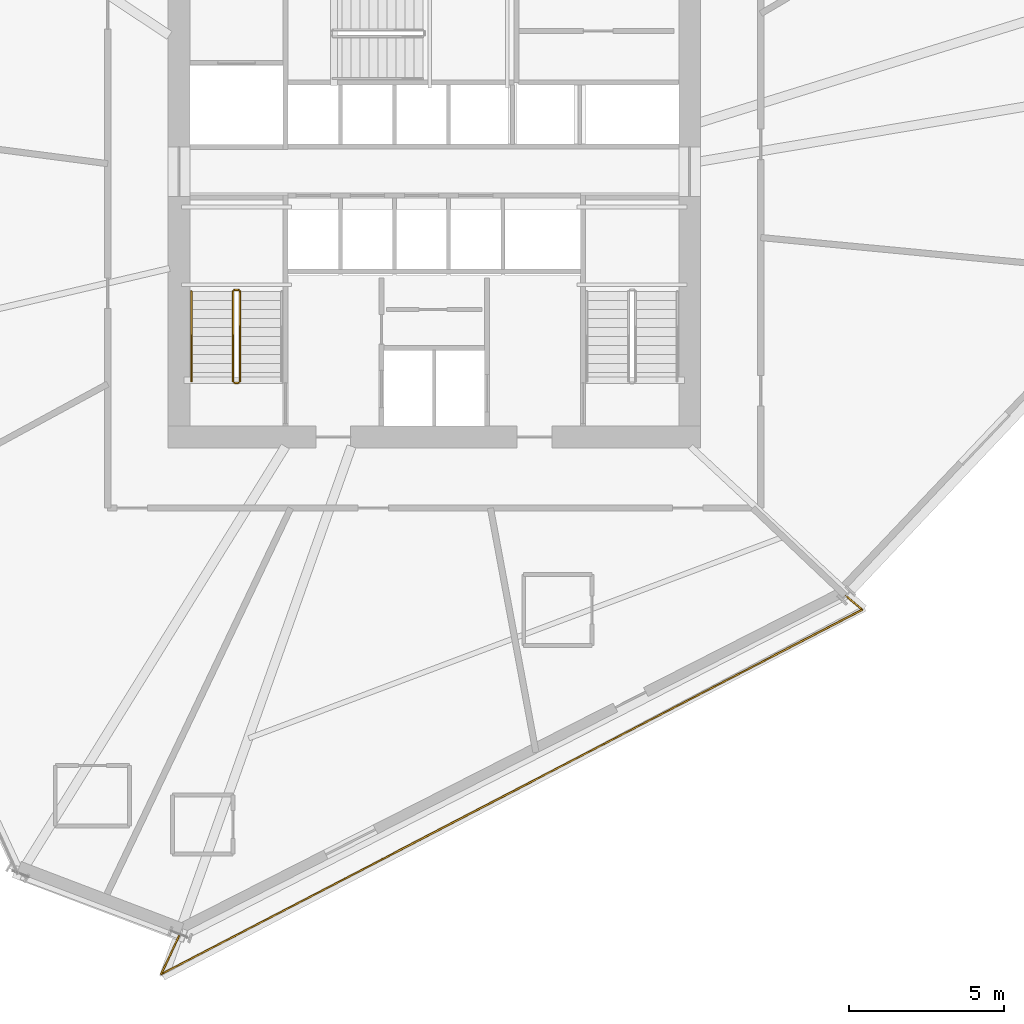
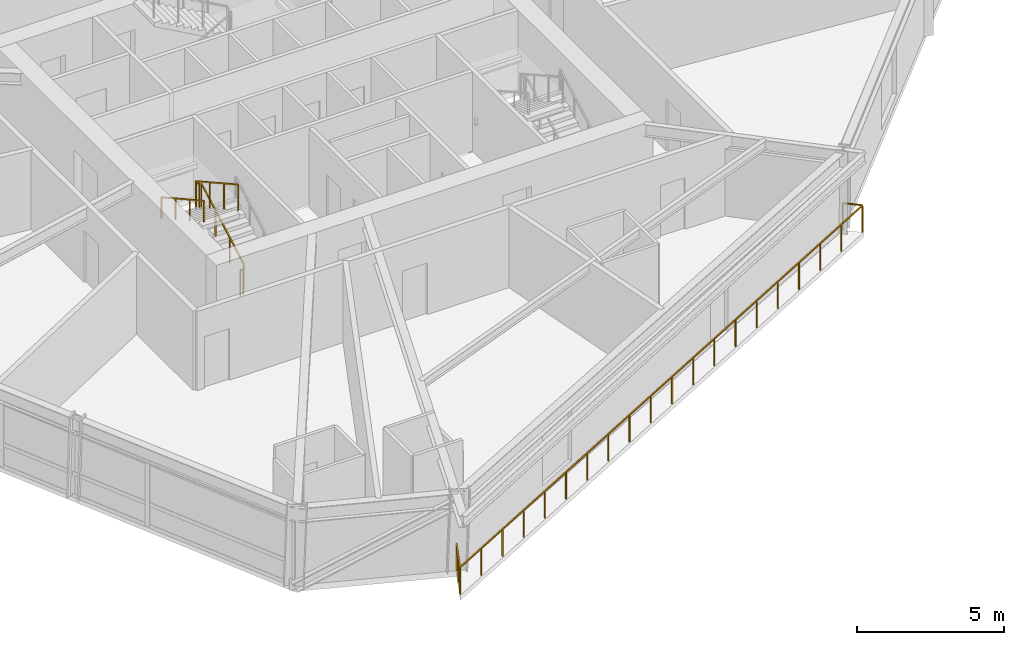
# One storey, part 18 of 21: 6 railings.
"""IFC4 building model written with IfcOpenShell, lengths in metres."""

from ifc_helpers import new_model, si_unit, direction, frame, origin, origin_2d, place, context, subcontext, project, spatial, rectangle, extrude, material, type_object, element, save


model = new_model("IFC4")

# Units and contexts
model_context = context("Model", 3, precision=1e-05, world=origin(), true_north=direction((0.0, 1.0)))
body_context = subcontext(model_context, "Body", "Model", "MODEL_VIEW")
ifc_project = project(units=[si_unit("LENGTHUNIT", "METRE"), si_unit("AREAUNIT", "SQUARE_METRE"), si_unit("VOLUMEUNIT", "CUBIC_METRE"), si_unit("PLANEANGLEUNIT", "RADIAN"), si_unit("MASSUNIT", "GRAM", prefix="KILO")], contexts=[model_context])

# Site, building, storey
site_placement = place(None, origin())
site = spatial("IfcSite", under=ifc_project, at=site_placement, CompositionType="ELEMENT")
building_placement = place(site_placement, origin())
building = spatial("IfcBuilding", under=site, at=building_placement, Name="Olszyna Solenne Hotel", CompositionType="ELEMENT")
storey_placement = place(building_placement, frame((0.0, 0.0, 91.5)))
storey = spatial("IfcBuildingStorey", under=building, at=storey_placement, Name="L23", CompositionType="ELEMENT", Elevation=91.5)

# Railings
ifc_material_1 = material(Name="Anodised bronze aluminium", Category="aluminium")
railing_type_1 = type_object("IfcRailingType", Name="GR-110", PredefinedType="BALUSTRADE", material=ifc_material_1)
railing_1_placement = place(storey_placement, frame((29.77490234375, 3.074462890625, 0.0)))
element("IfcRailing", 1, at=railing_1_placement, inside=storey, type_object=railing_type_1, Name="Loggia balcony balustrade guard GR-L23-LG3", PredefinedType="BALUSTRADE", context=body_context, shape_type="SweptSolid", body=[
    extrude(rectangle(XDim=0.048095703125, YDim=0.048095703125, at=origin_2d()), frame((0.0, 0.0, 1.1259765625), z_axis=(-0.422536811487, -0.906345763458, 0.0), x_axis=(0.906345763458, -0.422536811487, 0.0)), (0.0, 0.0, 1.0), 1.41845703125),
    extrude(rectangle(XDim=0.048095703125, YDim=0.048095703125, at=origin_2d()), frame((-0.599365234375, -1.28564453125, 1.1259765625), z_axis=(0.887225411845, 0.461336177398, 0.0), x_axis=(-0.461336177398, 0.887225411845, 0.0)), (0.0, 0.0, 1.0), 25.531982421875),
    extrude(rectangle(XDim=0.048095703125, YDim=0.048095703125, at=origin_2d()), frame((22.05322265625, 10.4931640625, 1.1259765625), z_axis=(-0.759356549846, 0.650674749938, 0.0), x_axis=(-0.650674749938, -0.759356549846, 0.0)), (0.0, 0.0, 1.0), 0.689697265625),
    extrude(rectangle(XDim=0.0419921875, YDim=0.0419921875, at=origin_2d()), origin(), (0.0, 0.0, 1.0), 1.101806640625),
    extrude(rectangle(XDim=0.0419921875, YDim=0.0419921875, at=origin_2d()), frame((-0.2998046875, -0.642822265625, 0.0)), (0.0, 0.0, 1.0), 1.101806640625),
    extrude(rectangle(XDim=0.0419921875, YDim=0.0419921875, at=origin_2d()), frame((-0.599365234375, -1.28564453125, 0.0)), (0.0, 0.0, 1.0), 1.101806640625),
    extrude(rectangle(XDim=0.0419921875, YDim=0.0419921875, at=origin_2d()), frame((0.5927734375, -0.665771484375, 0.0)), (0.0, 0.0, 1.0), 1.101806640625),
    extrude(rectangle(XDim=0.0419921875, YDim=0.0419921875, at=origin_2d()), frame((1.78515625, -0.045654296875, 0.0)), (0.0, 0.0, 1.0), 1.101806640625),
    extrude(rectangle(XDim=0.0419921875, YDim=0.0419921875, at=origin_2d()), frame((2.977294921875, 0.57421875, 0.0)), (0.0, 0.0, 1.0), 1.101806640625),
    extrude(rectangle(XDim=0.0419921875, YDim=0.0419921875, at=origin_2d()), frame((4.169677734375, 1.194091796875, 0.0)), (0.0, 0.0, 1.0), 1.101806640625),
    extrude(rectangle(XDim=0.0419921875, YDim=0.0419921875, at=origin_2d()), frame((5.36181640625, 1.81396484375, 0.0)), (0.0, 0.0, 1.0), 1.101806640625),
    extrude(rectangle(XDim=0.0419921875, YDim=0.0419921875, at=origin_2d()), frame((6.55419921875, 2.43408203125, 0.0)), (0.0, 0.0, 1.0), 1.101806640625),
    extrude(rectangle(XDim=0.0419921875, YDim=0.0419921875, at=origin_2d()), frame((7.746337890625, 3.053955078125, 0.0)), (0.0, 0.0, 1.0), 1.101806640625),
    extrude(rectangle(XDim=0.0419921875, YDim=0.0419921875, at=origin_2d()), frame((8.9384765625, 3.673828125, 0.0)), (0.0, 0.0, 1.0), 1.101806640625),
    extrude(rectangle(XDim=0.0419921875, YDim=0.0419921875, at=origin_2d()), frame((10.130859375, 4.293701171875, 0.0)), (0.0, 0.0, 1.0), 1.101806640625),
    extrude(rectangle(XDim=0.0419921875, YDim=0.0419921875, at=origin_2d()), frame((11.322998046875, 4.913818359375, 0.0)), (0.0, 0.0, 1.0), 1.101806640625),
    extrude(rectangle(XDim=0.0419921875, YDim=0.0419921875, at=origin_2d()), frame((12.515380859375, 5.53369140625, 0.0)), (0.0, 0.0, 1.0), 1.101806640625),
    extrude(rectangle(XDim=0.0419921875, YDim=0.0419921875, at=origin_2d()), frame((13.70751953125, 6.153564453125, 0.0)), (0.0, 0.0, 1.0), 1.101806640625),
    extrude(rectangle(XDim=0.0419921875, YDim=0.0419921875, at=origin_2d()), frame((14.899658203125, 6.7734375, 0.0)), (0.0, 0.0, 1.0), 1.101806640625),
    extrude(rectangle(XDim=0.0419921875, YDim=0.0419921875, at=origin_2d()), frame((16.092041015625, 7.3935546875, 0.0)), (0.0, 0.0, 1.0), 1.101806640625),
    extrude(rectangle(XDim=0.0419921875, YDim=0.0419921875, at=origin_2d()), frame((17.2841796875, 8.013427734375, 0.0)), (0.0, 0.0, 1.0), 1.101806640625),
    extrude(rectangle(XDim=0.0419921875, YDim=0.0419921875, at=origin_2d()), frame((18.4765625, 8.63330078125, 0.0)), (0.0, 0.0, 1.0), 1.101806640625),
    extrude(rectangle(XDim=0.0419921875, YDim=0.0419921875, at=origin_2d()), frame((19.668701171875, 9.253173828125, 0.0)), (0.0, 0.0, 1.0), 1.101806640625),
    extrude(rectangle(XDim=0.0419921875, YDim=0.0419921875, at=origin_2d()), frame((20.861083984375, 9.873291015625, 0.0)), (0.0, 0.0, 1.0), 1.101806640625),
    extrude(rectangle(XDim=0.0419921875, YDim=0.0419921875, at=origin_2d()), frame((22.05322265625, 10.4931640625, 0.0)), (0.0, 0.0, 1.0), 1.101806640625),
    extrude(rectangle(XDim=0.0419921875, YDim=0.0419921875, at=origin_2d()), frame((21.529541015625, 10.94189453125, 0.0)), (0.0, 0.0, 1.0), 1.101806640625),
])
railing_2_placement = place(storey_placement, frame((31.719970703125, 20.949951171875, 0.161376953125)))
element("IfcRailing", 2, at=railing_2_placement, inside=storey, type_object=railing_type_1, Name="L23 ST1 stair guard 1", PredefinedType="BALUSTRADE", context=body_context, shape_type="SweptSolid", body=[
    extrude(rectangle(XDim=0.048095703125, YDim=0.048095703125, at=origin_2d()), frame((0.0, 0.0, 1.076171875), z_axis=(0.0, 0.873858693841, 0.486179990537), x_axis=(-1.0, 0.0, 0.0)), (0.0, 0.0, 1.0), 3.31884765625),
    extrude(rectangle(XDim=0.0419921875, YDim=0.0419921875, at=origin_2d()), origin(), (0.0, 0.0, 1.0), 1.052001953125),
    extrude(rectangle(XDim=0.0419921875, YDim=0.0419921875, at=origin_2d()), frame((0.0, 0.966796875, 0.537841796875)), (0.0, 0.0, 1.0), 1.052001953125),
    extrude(rectangle(XDim=0.0419921875, YDim=0.0419921875, at=origin_2d()), frame((0.0, 1.933349609375, 1.07568359375)), (0.0, 0.0, 1.0), 1.052001953125),
    extrude(rectangle(XDim=0.0419921875, YDim=0.0419921875, at=origin_2d()), frame((0.0, 2.900146484375, 1.613525390625)), (0.0, 0.0, 1.0), 1.052001953125),
])
railing_3_placement = place(storey_placement, frame((31.669921875, 23.89990234375, 1.77490234375)))
element("IfcRailing", 3, at=railing_3_placement, inside=storey, type_object=railing_type_1, Name="L23 ST1 stair guard 2", PredefinedType="BALUSTRADE", context=body_context, shape_type="SweptSolid", body=[
    extrude(rectangle(XDim=0.048095703125, YDim=0.048095703125, at=origin_2d()), frame((0.0, 0.0, 1.076171875), z_axis=(-1.0, 0.0, 0.0), x_axis=(0.0, -1.0, 0.0)), (0.0, 0.0, 1.0), 0.119873046875),
    extrude(rectangle(XDim=0.0419921875, YDim=0.0419921875, at=origin_2d()), origin(), (0.0, 0.0, 1.0), 1.052001953125),
    extrude(rectangle(XDim=0.0419921875, YDim=0.0419921875, at=origin_2d()), frame((-0.119873046875, 0.0, 0.0)), (0.0, 0.0, 1.0), 1.052001953125),
])
railing_4_placement = place(storey_placement, frame((31.5, 23.85009765625, 1.936279296875)))
element("IfcRailing", 4, at=railing_4_placement, inside=storey, type_object=railing_type_1, Name="L23 ST1 stair guard 3", PredefinedType="BALUSTRADE", context=body_context, shape_type="SweptSolid", body=[
    extrude(rectangle(XDim=0.048095703125, YDim=0.048095703125, at=origin_2d()), frame((0.0, 0.0, 1.076171875), z_axis=(0.0, -0.873827439584, 0.48623616261), x_axis=(1.0, 0.0, 0.0)), (0.0, 0.0, 1.0), 3.31884765625),
    extrude(rectangle(XDim=0.0419921875, YDim=0.0419921875, at=origin_2d()), origin(), (0.0, 0.0, 1.0), 1.052001953125),
    extrude(rectangle(XDim=0.0419921875, YDim=0.0419921875, at=origin_2d()), frame((0.0, -0.966796875, 0.537841796875)), (0.0, 0.0, 1.0), 1.052001953125),
    extrude(rectangle(XDim=0.0419921875, YDim=0.0419921875, at=origin_2d()), frame((0.0, -1.933349609375, 1.075927734375)), (0.0, 0.0, 1.0), 1.052001953125),
    extrude(rectangle(XDim=0.0419921875, YDim=0.0419921875, at=origin_2d()), frame((0.0, -2.900146484375, 1.61376953125)), (0.0, 0.0, 1.0), 1.052001953125),
])
railing_5_placement = place(storey_placement, frame((31.669921875, 20.89990234375, 0.0)))
element("IfcRailing", 5, at=railing_5_placement, inside=storey, type_object=railing_type_1, Name="L23 ST1 stair guard 4", PredefinedType="BALUSTRADE", context=body_context, shape_type="SweptSolid", body=[
    extrude(rectangle(XDim=0.048095703125, YDim=0.048095703125, at=origin_2d()), frame((0.0, 0.0, 1.076171875), z_axis=(-1.0, 0.0, 0.0), x_axis=(0.0, -1.0, 0.0)), (0.0, 0.0, 1.0), 0.119873046875),
    extrude(rectangle(XDim=0.0419921875, YDim=0.0419921875, at=origin_2d()), origin(), (0.0, 0.0, 1.0), 1.052001953125),
    extrude(rectangle(XDim=0.0419921875, YDim=0.0419921875, at=origin_2d()), frame((-0.119873046875, 0.0, 0.0)), (0.0, 0.0, 1.0), 1.052001953125),
])
ifc_material_2 = material(Name="Steel S355J2", Category="steel")
railing_type_2 = type_object("IfcRailingType", Name="HR-090", PredefinedType="HANDRAIL", material=ifc_material_2)
railing_6_placement = place(storey_placement, frame((30.14990234375, 23.85009765625, 1.936279296875)))
element("IfcRailing", 6, at=railing_6_placement, inside=storey, type_object=railing_type_2, Name="L23 ST1 stair handrail 2", PredefinedType="HANDRAIL", context=body_context, shape_type="SweptSolid", body=[
    extrude(rectangle(XDim=0.048095703125, YDim=0.048095703125, at=origin_2d()), frame((0.0, 0.0, 0.8759765625), z_axis=(0.0, -0.873827439584, 0.48623616261), x_axis=(1.0, 0.0, 0.0)), (0.0, 0.0, 1.0), 3.31884765625),
    extrude(rectangle(XDim=0.0419921875, YDim=0.0419921875, at=origin_2d()), origin(), (0.0, 0.0, 1.0), 0.851806640625),
    extrude(rectangle(XDim=0.0419921875, YDim=0.0419921875, at=origin_2d()), frame((0.0, -0.966796875, 0.537841796875)), (0.0, 0.0, 1.0), 0.851806640625),
    extrude(rectangle(XDim=0.0419921875, YDim=0.0419921875, at=origin_2d()), frame((0.0, -1.933349609375, 1.075927734375)), (0.0, 0.0, 1.0), 0.851806640625),
    extrude(rectangle(XDim=0.0419921875, YDim=0.0419921875, at=origin_2d()), frame((0.0, -2.900146484375, 1.61376953125)), (0.0, 0.0, 1.0), 0.851806640625),
])

save(model, "model.ifc")
